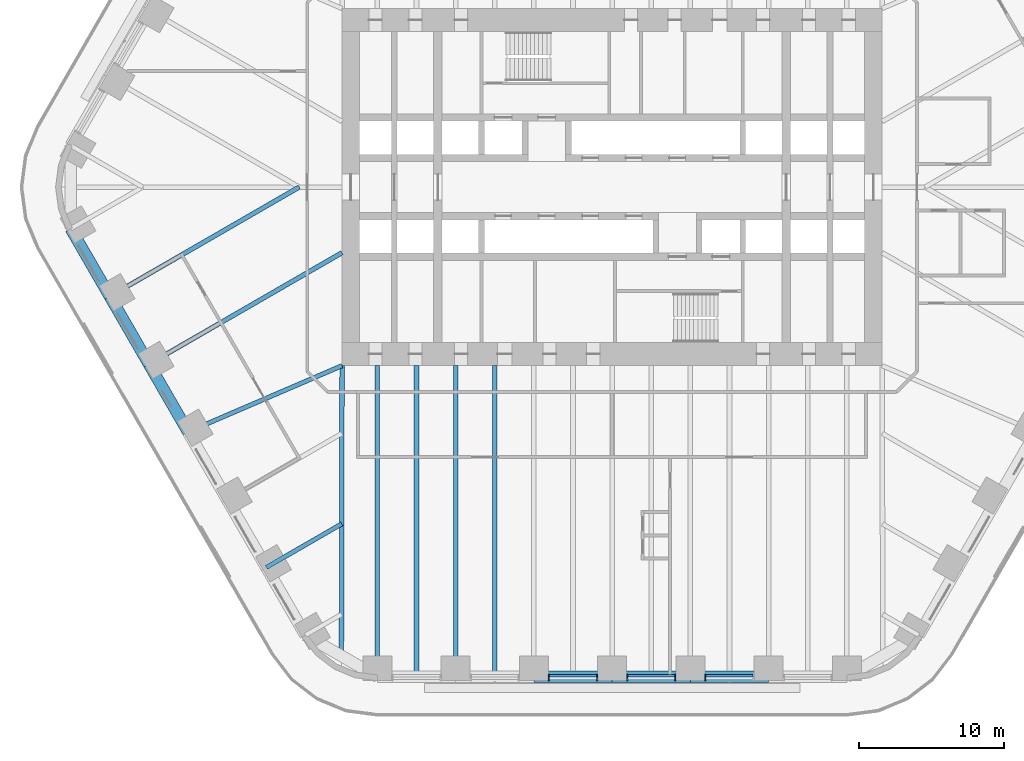
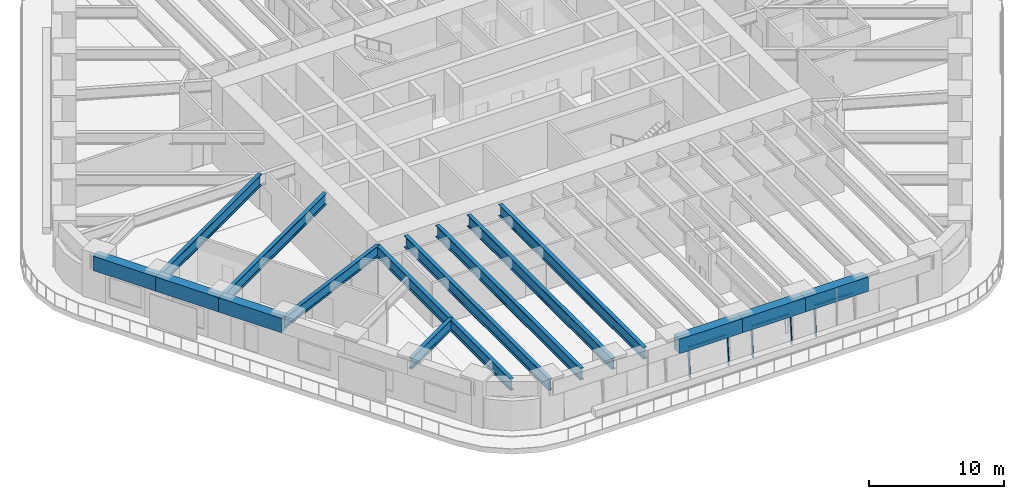
# One storey, part 3 of 24: 15 beams, 8 members, 3 elements without a shape of their own.
"""IFC4 building model written with IfcOpenShell, lengths in metres."""

import ifcopenshell
import ifcopenshell.guid

model = None  # the IFC model being written
_history = None  # IfcOwnerHistory: only IFC2X3 demands one
_inside = {}  # id of a spatial element -> (the spatial element, [elements in it])
_under = {}  # id of a project, library or spatial element -> (it, [spatial elements below it])
_declared = {}  # id of a project -> (the project, [libraries it declares])
_typed = {}  # id of a type object -> (the type object, [elements of that type])
_made_of = {}  # id of a material, layer set ... -> (it, [elements and type objects made of it])


def new_model(schema):
    """Start an empty IFC model of exactly this schema.

    Asked for "IFC4X3", IfcOpenShell would pick the latest addendum, in which some entities
    have other attributes; the version numbers below select the first issue.
    IFC2X3 requires an IfcOwnerHistory on every rooted entity: one is made here for all.
    """
    global model, _history
    if schema == "IFC4X3":
        model = ifcopenshell.file(schema_version=(4, 3, 0, 0))
    else:
        model = ifcopenshell.file(schema=schema)
    _inside.clear()
    _under.clear()
    _declared.clear()
    _typed.clear()
    _made_of.clear()
    _history = None
    if model.schema == "IFC2X3":
        org = make("IfcOrganization", Name="unknown")
        user = make(
            "IfcPersonAndOrganization",
            ThePerson=make("IfcPerson", FamilyName="unknown"),
            TheOrganization=org,
        )
        app = make(
            "IfcApplication",
            ApplicationDeveloper=org,
            Version="unknown",
            ApplicationFullName="unknown",
            ApplicationIdentifier="unknown",
        )
        _history = make(
            "IfcOwnerHistory",
            OwningUser=user,
            OwningApplication=app,
            ChangeAction="ADDED",
            CreationDate=0,
        )
    return model


def make(cls, **values):
    """One entity of the class cls with the attributes given. An attribute that is None is left unset."""
    return model.create_entity(
        cls, **{name: value for name, value in values.items() if value is not None}
    )


def rooted(cls, **values):
    """An entity with a GlobalId (a new one), such as an element, a storey or a relation."""
    return make(cls, GlobalId=ifcopenshell.guid.new(), OwnerHistory=_history, **values)


def si_unit(unit_type, name, prefix=None):
    """IfcSIUnit, for example si_unit("LENGTHUNIT", "METRE", prefix="MILLI")."""
    return make("IfcSIUnit", UnitType=unit_type, Prefix=prefix, Name=name)


def assignment(units):
    """IfcUnitAssignment: the units of a project."""
    return None if units is None else make("IfcUnitAssignment", Units=units)


def point(xyz):
    """IfcCartesianPoint."""
    return None if xyz is None else make("IfcCartesianPoint", Coordinates=xyz)


def direction(xyz):
    """IfcDirection."""
    return None if xyz is None else make("IfcDirection", DirectionRatios=xyz)


def frame(location, z_axis=None, x_axis=None):
    """IfcAxis2Placement3D, a coordinate frame: its origin and axes. An axis left out is left unset."""
    return make(
        "IfcAxis2Placement3D",
        Location=point(location),
        Axis=direction(z_axis),
        RefDirection=direction(x_axis),
    )


def frame_2d(location, x_axis=None):
    """IfcAxis2Placement2D, a coordinate frame in the plane: its origin and x axis."""
    return make(
        "IfcAxis2Placement2D", Location=point(location), RefDirection=direction(x_axis)
    )


def origin():
    """The frame at (0, 0, 0) with its axes left unset."""
    return frame((0.0, 0.0, 0.0))


def origin_2d():
    """The frame at (0, 0) in the plane with its x axis left unset."""
    return frame_2d((0.0, 0.0))


def place(relative_to, where):
    """IfcLocalPlacement: puts the frame where relative to a parent placement (None: the world)."""
    return make(
        "IfcLocalPlacement", PlacementRelTo=relative_to, RelativePlacement=where
    )


def context(
    kind, dimensions, precision=None, world=None, true_north=None, identifier=None
):
    """IfcGeometricRepresentationContext, for example the 3D "Model" context."""
    return make(
        "IfcGeometricRepresentationContext",
        ContextIdentifier=identifier,
        ContextType=kind,
        CoordinateSpaceDimension=dimensions,
        Precision=precision,
        WorldCoordinateSystem=world,
        TrueNorth=true_north,
    )


def subcontext(parent, identifier, kind, view, scale=None):
    """IfcGeometricRepresentationSubContext, for example "Body" below "Model"."""
    return make(
        "IfcGeometricRepresentationSubContext",
        ContextIdentifier=identifier,
        ContextType=kind,
        ParentContext=parent,
        TargetScale=scale,
        TargetView=view,
    )


def project(units=None, contexts=None):
    """IfcProject with its units and contexts."""
    return rooted(
        "IfcProject",
        Name="project",
        RepresentationContexts=contexts,
        UnitsInContext=assignment(units),
    )


def spatial(cls, under=None, at=None, **own):
    """A site, building, storey or space (cls), placed at a placement, below another one or the project."""
    s = rooted(cls, ObjectPlacement=at, **own)
    if under is not None:
        _under.setdefault(under.id(), (under, []))[1].append(s)
    return s


def profile(cls, at=None, kind="AREA", **sizes):
    """A parametric profile (cls). Its sizes go by their IFC names, for example OverallWidth=200.0."""
    return make(cls, ProfileType=kind, Position=at, **sizes)


def rectangle(**sizes):
    """IfcRectangleProfileDef."""
    return profile("IfcRectangleProfileDef", **sizes)


def i_section(**sizes):
    """IfcIShapeProfileDef."""
    return profile("IfcIShapeProfileDef", **sizes)


def extrude(swept, where, along, depth):
    """IfcExtrudedAreaSolid: the profile swept, set in the frame where, extruded along a direction by depth."""
    return make(
        "IfcExtrudedAreaSolid",
        SweptArea=swept,
        Position=where,
        ExtrudedDirection=direction(along),
        Depth=depth,
    )


def shape(context_of_items, identifier, shape_type, items):
    """IfcShapeRepresentation: the items that make up one representation, for example the "Body"."""
    return make(
        "IfcShapeRepresentation",
        ContextOfItems=context_of_items,
        RepresentationIdentifier=identifier,
        RepresentationType=shape_type,
        Items=items,
    )


def material(Name=None, Category=None):
    """IfcMaterial."""
    return make("IfcMaterial", Name=Name, Category=Category)


def material_profile(
    of_material, cross_section, Name=None, Category=None, Priority=None
):
    """IfcMaterialProfile: a cross section and its material."""
    return make(
        "IfcMaterialProfile",
        Name=Name,
        Material=of_material,
        Profile=cross_section,
        Priority=Priority,
        Category=Category,
    )


def profile_set(profiles, Name=None, composite=None):
    """IfcMaterialProfileSet."""
    return make(
        "IfcMaterialProfileSet",
        Name=Name,
        MaterialProfiles=profiles,
        CompositeProfile=composite,
    )


def made_of(thing, what):
    """Note that an element or type object is made of a material, layer set ...; save() writes the relation."""
    if what is not None:
        _made_of.setdefault(what.id(), (what, []))[1].append(thing)
    return thing


def type_object(cls, material=None, **own):
    """A type object (cls), such as IfcWallType, which elements share."""
    return made_of(rooted(cls, **own), material)


def element(
    cls,
    number,
    at=None,
    inside=None,
    cuts=None,
    type_object=None,
    material=None,
    context=None,
    identifier="Body",
    shape_type=None,
    held_by="IfcProductDefinitionShape",
    body=None,
    shapes=None,
    **own,
):
    """One element of the class cls, such as IfcWall. Its Tag is "e" and its number.

    at: its placement. inside: the storey or other place that contains it. cuts: it is an
    opening in that element (IfcRelVoidsElement). A single representation is given by context,
    identifier, shape_type and body (its items); several are given by shapes. held_by: the class
    of the entity that holds the representations. save() writes the other relations.
    """
    e = rooted(cls, Tag="e%d" % number, ObjectPlacement=at, **own)
    if body is not None:
        shapes = [shape(context, identifier, shape_type, body)]
    if shapes is not None:
        e.Representation = make(held_by, Representations=shapes)
    if inside is not None:
        _inside.setdefault(inside.id(), (inside, []))[1].append(e)
    if cuts is not None:
        rooted(
            "IfcRelVoidsElement", RelatingBuildingElement=cuts, RelatedOpeningElement=e
        )
    if type_object is not None:
        _typed.setdefault(type_object.id(), (type_object, []))[1].append(e)
    return made_of(e, material)


def aggregate(whole, parts):
    """IfcRelAggregates: a whole, such as a stair, and the parts it consists of."""
    return rooted("IfcRelAggregates", RelatingObject=whole, RelatedObjects=parts)


def save(model, path):
    """Write the relations noted so far, then the file.

    IfcRelAggregates (storeys below a building ...), IfcRelContainedInSpatialStructure (elements
    in a storey), IfcRelDefinesByType, IfcRelAssociatesMaterial and IfcRelDeclares: one each for
    every whole, place, type object, material and project.
    """
    for whole, parts in _under.values():
        aggregate(whole, parts)
    for where, things in _inside.values():
        rooted(
            "IfcRelContainedInSpatialStructure",
            RelatedElements=things,
            RelatingStructure=where,
        )
    for kind, things in _typed.values():
        rooted("IfcRelDefinesByType", RelatedObjects=things, RelatingType=kind)
    for what, things in _made_of.values():
        rooted("IfcRelAssociatesMaterial", RelatedObjects=things, RelatingMaterial=what)
    for by, libraries in _declared.values():
        rooted("IfcRelDeclares", RelatingContext=by, RelatedDefinitions=libraries)
    model.write(path)


model = new_model("IFC4")

# Units and contexts
model_context = context("Model", 3, precision=1e-05, world=origin(), true_north=direction((0.0, 1.0)))
body_context = subcontext(model_context, "Body", "Model", "MODEL_VIEW")
ifc_project = project(units=[si_unit("LENGTHUNIT", "METRE"), si_unit("AREAUNIT", "SQUARE_METRE"), si_unit("VOLUMEUNIT", "CUBIC_METRE"), si_unit("PLANEANGLEUNIT", "RADIAN"), si_unit("MASSUNIT", "GRAM", prefix="KILO")], contexts=[model_context])

# Site, building, storey
site_placement = place(None, origin())
site = spatial("IfcSite", under=ifc_project, at=site_placement, CompositionType="ELEMENT")
building_placement = place(site_placement, origin())
building = spatial("IfcBuilding", under=site, at=building_placement, Name="Tarfa Lantern Tower", CompositionType="ELEMENT")
storey_placement = place(building_placement, frame((0.0, 0.0, 69.699951171875)))
storey = spatial("IfcBuildingStorey", under=building, at=storey_placement, Name="L15", CompositionType="ELEMENT", Elevation=69.699951171875)

# Curtain wall, members
ifc_material_1 = material(Name="Aluminium framed curtain wall", Category="aluminium")
curtain_wall_type = type_object("IfcCurtainWallType", Name="CW1 CANTED GLAZING LOW ZONE 2700", PredefinedType="USERDEFINED", material=ifc_material_1)
curtain_wall_1_placement = place(storey_placement, origin())
curtain_wall_1 = element("IfcCurtainWall", 1, at=curtain_wall_1_placement, inside=storey, type_object=curtain_wall_type, Name="CW1 S L15", ObjectType="CURTAIN WALL", PredefinedType="USERDEFINED")
ifc_material_2 = material(Name="Aluminium mullion", Category="aluminium")
ifc_material_profile_1 = material_profile(ifc_material_2, rectangle(XDim=0.06494140625, YDim=0.199951171875, at=origin_2d()), Name="AL MULLION 65x200")
ifc_profile_set_1 = profile_set([ifc_material_profile_1], Name="Aluminium mullion")
member_type_1 = type_object("IfcMemberType", Name="CWM1 MULLION 65x200", PredefinedType="MULLION", material=ifc_profile_set_1)
member_1_placement = place(storey_placement, frame((-4.356201171875, -33.89990234375, 0.0), z_axis=(0.0, 0.092199863775, 0.995740520979), x_axis=(-1.0, 0.0, 0.0)))
member_1 = element("IfcMember", 2, at=member_1_placement, type_object=member_type_1, Name="CW1 mullion 1", PredefinedType="MULLION", context=body_context, shape_type="SweptSolid", body=[
    extrude(rectangle(XDim=0.06494140625, YDim=0.199951171875, at=origin_2d()), origin(), (0.0, 0.0, 1.0), 2.71142578125),
])
member_2_placement = place(storey_placement, frame((-1.032470703125, -33.89990234375, 0.0), z_axis=(0.0, 0.092199863775, 0.995740520979), x_axis=(-1.0, 0.0, 0.0)))
member_2 = element("IfcMember", 3, at=member_2_placement, type_object=member_type_1, Name="CW1 mullion 2", PredefinedType="MULLION", context=body_context, shape_type="SweptSolid", body=[
    extrude(rectangle(XDim=0.06494140625, YDim=0.199951171875, at=origin_2d()), origin(), (0.0, 0.0, 1.0), 2.71142578125),
])

curtain_wall_2_placement = place(storey_placement, origin())
curtain_wall_2 = element("IfcCurtainWall", 4, at=curtain_wall_2_placement, inside=storey, type_object=curtain_wall_type, Name="CW1 S L15", ObjectType="CURTAIN WALL", PredefinedType="USERDEFINED")
member_3_placement = place(storey_placement, frame((1.032470703125, -33.89990234375, 0.0), z_axis=(0.0, 0.092199863775, 0.995740520979), x_axis=(-1.0, 0.0, 0.0)))
member_3 = element("IfcMember", 5, at=member_3_placement, type_object=member_type_1, Name="CW1 mullion 1", PredefinedType="MULLION", context=body_context, shape_type="SweptSolid", body=[
    extrude(rectangle(XDim=0.06494140625, YDim=0.199951171875, at=origin_2d()), origin(), (0.0, 0.0, 1.0), 2.71142578125),
])
member_4_placement = place(storey_placement, frame((4.356201171875, -33.89990234375, 0.0), z_axis=(0.0, 0.092199863775, 0.995740520979), x_axis=(-1.0, 0.0, 0.0)))
member_4 = element("IfcMember", 6, at=member_4_placement, type_object=member_type_1, Name="CW1 mullion 2", PredefinedType="MULLION", context=body_context, shape_type="SweptSolid", body=[
    extrude(rectangle(XDim=0.06494140625, YDim=0.199951171875, at=origin_2d()), origin(), (0.0, 0.0, 1.0), 2.71142578125),
])

# Curtain wall, member
curtain_wall_3_placement = place(storey_placement, origin())
curtain_wall_3 = element("IfcCurtainWall", 7, at=curtain_wall_3_placement, inside=storey, type_object=curtain_wall_type, Name="CW1 S L15", ObjectType="CURTAIN WALL", PredefinedType="USERDEFINED")
member_5_placement = place(storey_placement, frame((6.421142578125, -33.89990234375, 0.0), z_axis=(0.0, 0.092199863775, 0.995740520979), x_axis=(-1.0, 0.0, 0.0)))
member_5 = element("IfcMember", 8, at=member_5_placement, type_object=member_type_1, Name="CW1 mullion 1", PredefinedType="MULLION", context=body_context, shape_type="SweptSolid", body=[
    extrude(rectangle(XDim=0.06494140625, YDim=0.199951171875, at=origin_2d()), origin(), (0.0, 0.0, 1.0), 2.71142578125),
])

# Member
ifc_material_3 = material(Name="Aluminium transom", Category="aluminium")
ifc_material_profile_2 = material_profile(ifc_material_3, rectangle(XDim=0.14990234375, YDim=0.06494140625, at=origin_2d()), Name="AL TRANSOM 150x65")
ifc_profile_set_2 = profile_set([ifc_material_profile_2], Name="Aluminium transom")
member_type_2 = type_object("IfcMemberType", Name="CWT1 TRANSOM 150x65", PredefinedType="USERDEFINED", material=ifc_profile_set_2)
member_6_placement = place(storey_placement, frame((-4.323486328125, -33.653076171875, 2.66748046875), z_axis=(1.0, 0.0, 0.0), x_axis=(0.0, 1.0, 0.0)))
member_6 = element("IfcMember", 9, at=member_6_placement, type_object=member_type_2, Name="CW1 transom 1.2", ObjectType="TRANSOM", PredefinedType="USERDEFINED", context=body_context, shape_type="SweptSolid", body=[
    extrude(rectangle(XDim=0.14990234375, YDim=0.06494140625, at=origin_2d()), origin(), (0.0, 0.0, 1.0), 3.258544921875),
])

aggregate(curtain_wall_1, [member_1, member_2, member_6])

member_7_placement = place(storey_placement, frame((1.06494140625, -33.653076171875, 2.66748046875), z_axis=(1.0, 0.0, 0.0), x_axis=(0.0, 1.0, 0.0)))
member_7 = element("IfcMember", 10, at=member_7_placement, type_object=member_type_2, Name="CW1 transom 1.2", ObjectType="TRANSOM", PredefinedType="USERDEFINED", context=body_context, shape_type="SweptSolid", body=[
    extrude(rectangle(XDim=0.14990234375, YDim=0.06494140625, at=origin_2d()), origin(), (0.0, 0.0, 1.0), 3.258544921875),
])

aggregate(curtain_wall_2, [member_3, member_4, member_7])

member_8_placement = place(storey_placement, frame((6.45361328125, -33.653076171875, 2.66748046875), z_axis=(1.0, 0.0, 0.0), x_axis=(0.0, 1.0, 0.0)))
member_8 = element("IfcMember", 11, at=member_8_placement, type_object=member_type_2, Name="CW1 transom 1.2", ObjectType="TRANSOM", PredefinedType="USERDEFINED", context=body_context, shape_type="SweptSolid", body=[
    extrude(rectangle(XDim=0.14990234375, YDim=0.06494140625, at=origin_2d()), origin(), (0.0, 0.0, 1.0), 3.258544921875),
])

aggregate(curtain_wall_3, [member_5, member_8])

# Beams
ifc_material_4 = material(Name="Concrete C80/95", Category="concrete")
ifc_material_profile_3 = material_profile(ifc_material_4, rectangle(XDim=0.800048828125, YDim=1.300048828125, at=origin_2d()), Name="RC 800x1300")
ifc_profile_set_3 = profile_set([ifc_material_profile_3], Name="Concrete C80/95")
beam_type_1 = type_object("IfcBeamType", Name="EB1 RC 800x1300", PredefinedType="SPANDREL", material=ifc_profile_set_3)
beam_1_placement = place(storey_placement, frame((-37.285400390625, -2.860107421875, 3.35009765625), z_axis=(0.500017906299, -0.866015065331, 0.0), x_axis=(0.866015065331, 0.500017906299, 0.0)))
element("IfcBeam", 12, at=beam_1_placement, inside=storey, type_object=beam_type_1, Name="Edge beam SW0", PredefinedType="SPANDREL", context=body_context, shape_type="SweptSolid", body=[
    extrude(rectangle(XDim=0.800048828125, YDim=1.300048828125, at=origin_2d()), origin(), (0.0, 0.0, 1.0), 5.388427734375),
])
for number, where, z_axis, x_axis, name in (
    (13, (-34.591064453125, -7.526611328125, 3.35009765625), (0.499998287579, -0.866026392449, 0.0), (0.866026392449, 0.499998287579, 0.0), "Edge beam SW1"),
    (14, (-31.896728515625, -12.193359375, 3.35009765625), (0.499998287579, -0.866026392449, 0.0), (0.866026392449, 0.499998287579, 0.0), "Edge beam SW2"),
    (15, (-5.388671875, -33.719970703125, 3.35009765625), (1.0, 0.0, 0.0), (0.0, 1.0, 0.0), "Edge beam S2"),
    (16, (0.0, -33.719970703125, 3.35009765625), (1.0, 0.0, 0.0), (0.0, 1.0, 0.0), "Edge beam S3"),
):
    element("IfcBeam", number, at=place(storey_placement, frame(where, z_axis=z_axis, x_axis=x_axis)), inside=storey, type_object=beam_type_1, Name=name, PredefinedType="SPANDREL", context=body_context, shape_type="SweptSolid", body=[
        extrude(rectangle(XDim=0.800048828125, YDim=1.300048828125, at=origin_2d()), origin(), (0.0, 0.0, 1.0), 5.388671875),
    ])
beam_2_placement = place(storey_placement, frame((5.388671875, -33.719970703125, 3.35009765625), z_axis=(1.0, 0.0, 0.0), x_axis=(0.0, 1.0, 0.0)))
element("IfcBeam", 17, at=beam_2_placement, inside=storey, type_object=beam_type_1, Name="Edge beam S4", PredefinedType="SPANDREL", context=body_context, shape_type="SweptSolid", body=[
    extrude(rectangle(XDim=0.800048828125, YDim=1.300048828125, at=origin_2d()), origin(), (0.0, 0.0, 1.0), 5.388427734375),
])
ifc_material_5 = material(Name="Steel S460M", Category="steel")
ifc_material_profile_4 = material_profile(ifc_material_5, i_section(OverallWidth=0.302001953125, OverallDepth=1.008056640625, WebThickness=0.02099609375, FlangeThickness=0.0400390625, FilletRadius=0.030029296875, at=origin_2d()), Name="UB1016x305x349")
ifc_profile_set_4 = profile_set([ifc_material_profile_4], Name="Steel S460M")
beam_type_2 = type_object("IfcBeamType", Name="UB1016x305x349", PredefinedType="BEAM", material=ifc_profile_set_4)
beam_3_placement = place(storey_placement, frame((-29.202392578125, -16.860107421875, 3.49609375), z_axis=(0.918635483867, 0.395106122175, 0.0), x_axis=(-0.395106122175, 0.918635483867, 0.0)))
element("IfcBeam", 18, at=beam_3_placement, inside=storey, type_object=beam_type_2, Name="Floor beam SW3", PredefinedType="BEAM", context=body_context, shape_type="SweptSolid", body=[
    extrude(i_section(OverallWidth=0.302001953125, OverallDepth=1.008056640625, WebThickness=0.02099609375, FlangeThickness=0.0400390625, FilletRadius=0.030029296875, at=origin_2d()), origin(), (0.0, 0.0, 1.0), 11.541259765625),
])
beam_4_placement = place(storey_placement, frame((-23.813720703125, -26.193359375, 3.49609375), z_axis=(0.866015997389, 0.500016292001, 0.0), x_axis=(-0.500016292001, 0.866015997389, 0.0)))
element("IfcBeam", 19, at=beam_4_placement, inside=storey, type_object=beam_type_2, Name="Floor beam SW5", PredefinedType="BEAM", context=body_context, shape_type="SweptSolid", body=[
    extrude(i_section(OverallWidth=0.302001953125, OverallDepth=1.008056640625, WebThickness=0.02099609375, FlangeThickness=0.0400390625, FilletRadius=0.030029296875, at=origin_2d()), origin(), (0.0, 0.0, 1.0), 5.993408203125),
])
ifc_material_profile_5 = material_profile(ifc_material_5, i_section(OverallWidth=0.314208984375, OverallDepth=1.055908203125, WebThickness=0.035888671875, FlangeThickness=0.06396484375, FilletRadius=0.030029296875, at=origin_2d()), Name="UB1016x305x584")
ifc_profile_set_5 = profile_set([ifc_material_profile_5], Name="Steel S460M")
beam_type_3 = type_object("IfcBeamType", Name="UB1016x305x584", PredefinedType="BEAM", material=ifc_profile_set_5)
beam_5_placement = place(storey_placement, frame((-18.60009765625, -12.300048828125, 3.47216796875), z_axis=(-0.00212508222, -0.99999774201, 0.0), x_axis=(0.99999774201, -0.00212508222, 0.0)))
element("IfcBeam", 20, at=beam_5_placement, inside=storey, type_object=beam_type_3, Name="Hip girder SW", PredefinedType="BEAM", context=body_context, shape_type="SweptSolid", body=[
    extrude(i_section(OverallWidth=0.314208984375, OverallDepth=1.055908203125, WebThickness=0.035888671875, FlangeThickness=0.06396484375, FilletRadius=0.030029296875, at=origin_2d()), origin(), (0.0, 0.0, 1.0), 19.989990234375),
])
beam_6_placement = place(storey_placement, frame((-34.591064453125, -7.526611328125, 3.47216796875), z_axis=(0.86602785945, 0.499995746638, 0.0), x_axis=(-0.499995746638, 0.86602785945, 0.0)))
element("IfcBeam", 21, at=beam_6_placement, inside=storey, type_object=beam_type_3, Name="Floor beam SW1", PredefinedType="BEAM", context=body_context, shape_type="SweptSolid", body=[
    extrude(i_section(OverallWidth=0.314208984375, OverallDepth=1.055908203125, WebThickness=0.035888671875, FlangeThickness=0.06396484375, FilletRadius=0.030029296875, at=origin_2d()), origin(), (0.0, 0.0, 1.0), 15.053466796875),
])
beam_7_placement = place(storey_placement, frame((-31.896728515625, -12.193359375, 3.47216796875), z_axis=(0.866026971665, 0.499997284341, 0.0), x_axis=(-0.499997284341, 0.866026971665, 0.0)))
element("IfcBeam", 22, at=beam_7_placement, inside=storey, type_object=beam_type_3, Name="Floor beam SW2", PredefinedType="BEAM", context=body_context, shape_type="SweptSolid", body=[
    extrude(i_section(OverallWidth=0.314208984375, OverallDepth=1.055908203125, WebThickness=0.035888671875, FlangeThickness=0.06396484375, FilletRadius=0.030029296875, at=origin_2d()), origin(), (0.0, 0.0, 1.0), 15.353515625),
])
for number, where, z_axis, x_axis, name in (
    (23, (-16.165771484375, -33.719970703125, 3.47216796875), (0.0, 1.0, 0.0), (-1.0, 0.0, 0.0), "Floor beam S0"),
    (24, (-10.777099609375, -33.719970703125, 3.47216796875), (0.0, 1.0, 0.0), (-1.0, 0.0, 0.0), "Floor beam S1"),
    (25, (-13.471435546875, -33.719970703125, 3.47216796875), (0.0, 1.0, 0.0), (-1.0, 0.0, 0.0), "Floor beam S0M"),
    (26, (-8.0830078125, -33.719970703125, 3.47216796875), (0.0, 1.0, 0.0), (-1.0, 0.0, 0.0), "Floor beam S1M"),
):
    element("IfcBeam", number, at=place(storey_placement, frame(where, z_axis=z_axis, x_axis=x_axis)), inside=storey, type_object=beam_type_3, Name=name, PredefinedType="BEAM", context=body_context, shape_type="SweptSolid", body=[
        extrude(i_section(OverallWidth=0.314208984375, OverallDepth=1.055908203125, WebThickness=0.035888671875, FlangeThickness=0.06396484375, FilletRadius=0.030029296875, at=origin_2d()), origin(), (0.0, 0.0, 1.0), 21.419921875),
    ])

save(model, "model.ifc")
